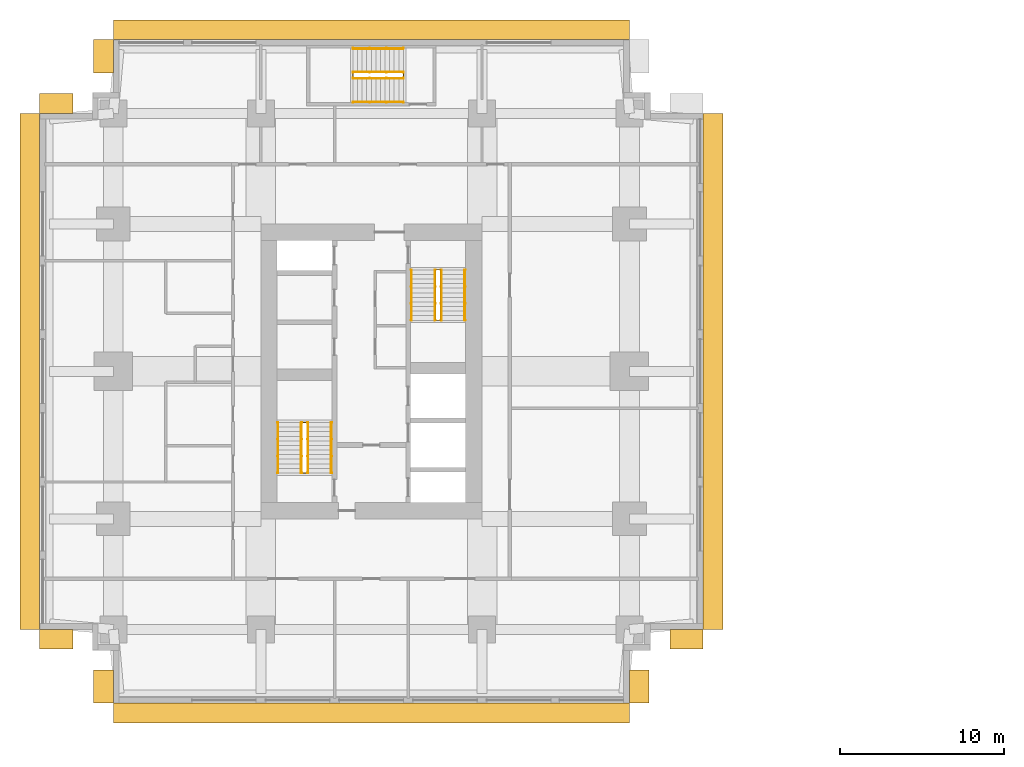
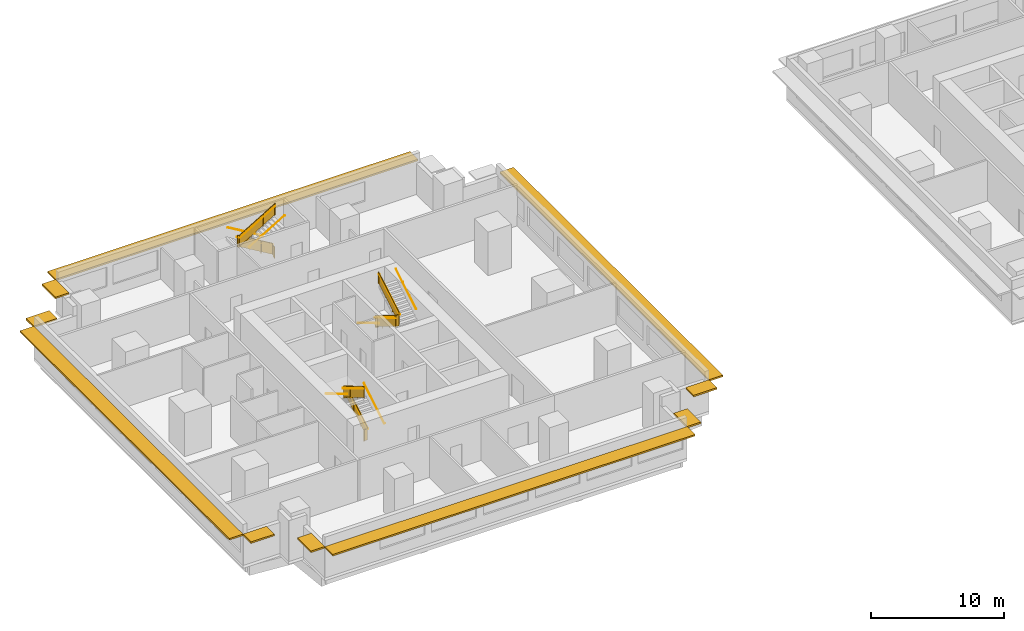
# One storey, part 10 of 11: 15 railings, 10 shading devices.
"""IFC4 building model written with IfcOpenShell, lengths in metres."""

from ifc_helpers import new_model, si_unit, direction, frame, origin, origin_2d, place, context, subcontext, project, spatial, polyline, rectangle, circle, outline, extrude, material, layer, layer_set, type_object, element, save


model = new_model("IFC4")

# Units and contexts
model_context = context("Model", 3, precision=1e-05, world=origin(), true_north=direction((0.0, 1.0)))
body_context = subcontext(model_context, "Body", "Model", "MODEL_VIEW")
ifc_project = project(units=[si_unit("LENGTHUNIT", "METRE"), si_unit("AREAUNIT", "SQUARE_METRE"), si_unit("VOLUMEUNIT", "CUBIC_METRE"), si_unit("PLANEANGLEUNIT", "RADIAN"), si_unit("MASSUNIT", "GRAM", prefix="KILO")], contexts=[model_context])

# Site, building, storey
site_placement = place(None, origin())
site = spatial("IfcSite", under=ifc_project, at=site_placement, CompositionType="ELEMENT")
building_placement = place(site_placement, origin())
building = spatial("IfcBuilding", under=site, at=building_placement, Name="Namib Vertical Campus", CompositionType="ELEMENT")
storey_placement = place(building_placement, frame((0.0, 0.0, 193.0)))
storey = spatial("IfcBuildingStorey", under=building, at=storey_placement, Name="L45", CompositionType="ELEMENT", Elevation=193.0)

# Railings
ifc_material_1 = material(Name="Steel handrail", Category="steel")
railing_type_1 = type_object("IfcRailingType", Name="Handrail 900", PredefinedType="HANDRAIL", material=ifc_material_1)
railing_1_placement = place(storey_placement, frame((17.800048828125, 14.050048828125, 0.166748046875)))
element("IfcRailing", 1, at=railing_1_placement, inside=storey, type_object=railing_type_1, Name="Handrail HR1 A-S1 L45 1", PredefinedType="HANDRAIL", context=body_context, shape_type="SweptSolid", body=[
    extrude(circle(Radius=0.02392578125, at=origin_2d()), frame((0.0, 0.0, 0.8759765625), z_axis=(0.0, 0.859290745958, 0.51148745235), x_axis=(-1.0, 0.0, 0.0)), (0.0, 0.0, 1.0), 3.584228515625),
    extrude(circle(Radius=0.008056640625, at=origin_2d()), frame((0.0, 0.0, 0.8759765625), z_axis=(1.0, 0.0, 0.0), x_axis=(0.0, 0.0, 1.0)), (0.0, 0.0, 1.0), 0.050048828125),
    extrude(circle(Radius=0.008056640625, at=origin_2d()), frame((0.0, 1.026611328125, 1.48681640625), z_axis=(1.0, 0.0, 0.0), x_axis=(0.0, 0.0, 1.0)), (0.0, 0.0, 1.0), 0.050048828125),
    extrude(circle(Radius=0.008056640625, at=origin_2d()), frame((0.0, 2.05322265625, 2.09814453125), z_axis=(1.0, 0.0, 0.0), x_axis=(0.0, 0.0, 1.0)), (0.0, 0.0, 1.0), 0.050048828125),
    extrude(circle(Radius=0.008056640625, at=origin_2d()), frame((0.0, 3.079833984375, 2.708984375), z_axis=(1.0, 0.0, 0.0), x_axis=(0.0, 0.0, 1.0)), (0.0, 0.0, 1.0), 0.050048828125),
])
railing_2_placement = place(storey_placement, frame((14.550048828125, 17.1298828125, 2.166748046875)))
element("IfcRailing", 2, at=railing_2_placement, inside=storey, type_object=railing_type_1, Name="Handrail HR1 A-S1 L45 2", PredefinedType="HANDRAIL", context=body_context, shape_type="SweptSolid", body=[
    extrude(circle(Radius=0.02392578125, at=origin_2d()), frame((0.0, 0.0, 0.8759765625), z_axis=(0.0, -0.859290745958, 0.51148745235), x_axis=(1.0, 0.0, 0.0)), (0.0, 0.0, 1.0), 3.584228515625),
    extrude(circle(Radius=0.008056640625, at=origin_2d()), frame((0.0, 0.0, 0.8759765625), z_axis=(-1.0, 0.0, 0.0), x_axis=(0.0, 0.0, 1.0)), (0.0, 0.0, 1.0), 0.050048828125),
    extrude(circle(Radius=0.008056640625, at=origin_2d()), frame((0.0, -1.026611328125, 1.48681640625), z_axis=(-1.0, 0.0, 0.0), x_axis=(0.0, 0.0, 1.0)), (0.0, 0.0, 1.0), 0.050048828125),
    extrude(circle(Radius=0.008056640625, at=origin_2d()), frame((0.0, -2.05322265625, 2.09814453125), z_axis=(-1.0, 0.0, 0.0), x_axis=(0.0, 0.0, 1.0)), (0.0, 0.0, 1.0), 0.050048828125),
    extrude(circle(Radius=0.008056640625, at=origin_2d()), frame((0.0, -3.079833984375, 2.708984375), z_axis=(-1.0, 0.0, 0.0), x_axis=(0.0, 0.0, 1.0)), (0.0, 0.0, 1.0), 0.050048828125),
])
railing_3_placement = place(storey_placement, frame((16.375, 14.050048828125, 0.166748046875)))
element("IfcRailing", 3, at=railing_3_placement, inside=storey, type_object=railing_type_1, Name="Handrail HR1 A-S1 L45 1 at the well", PredefinedType="HANDRAIL", context=body_context, shape_type="SweptSolid", body=[
    extrude(circle(Radius=0.02392578125, at=origin_2d()), frame((0.0, 0.0, 0.8759765625), z_axis=(0.0, 0.859290745958, 0.51148745235), x_axis=(-1.0, 0.0, 0.0)), (0.0, 0.0, 1.0), 3.584228515625),
    extrude(circle(Radius=0.008056640625, at=origin_2d()), frame((0.0, 0.0, 0.8759765625), z_axis=(-1.0, 0.0, 0.0), x_axis=(0.0, 0.0, 1.0)), (0.0, 0.0, 1.0), 0.0400390625),
    extrude(circle(Radius=0.008056640625, at=origin_2d()), frame((0.0, 1.026611328125, 1.48681640625), z_axis=(-1.0, 0.0, 0.0), x_axis=(0.0, 0.0, 1.0)), (0.0, 0.0, 1.0), 0.0400390625),
    extrude(circle(Radius=0.008056640625, at=origin_2d()), frame((0.0, 2.05322265625, 2.09814453125), z_axis=(-1.0, 0.0, 0.0), x_axis=(0.0, 0.0, 1.0)), (0.0, 0.0, 1.0), 0.0400390625),
    extrude(circle(Radius=0.008056640625, at=origin_2d()), frame((0.0, 3.079833984375, 2.708984375), z_axis=(-1.0, 0.0, 0.0), x_axis=(0.0, 0.0, 1.0)), (0.0, 0.0, 1.0), 0.0400390625),
])
railing_4_placement = place(storey_placement, frame((15.97509765625, 17.1298828125, 2.166748046875)))
element("IfcRailing", 4, at=railing_4_placement, inside=storey, type_object=railing_type_1, Name="Handrail HR1 A-S1 L45 2 at the well", PredefinedType="HANDRAIL", context=body_context, shape_type="SweptSolid", body=[
    extrude(circle(Radius=0.02392578125, at=origin_2d()), frame((0.0, 0.0, 0.8759765625), z_axis=(0.0, -0.859290745958, 0.51148745235), x_axis=(1.0, 0.0, 0.0)), (0.0, 0.0, 1.0), 3.584228515625),
    extrude(circle(Radius=0.008056640625, at=origin_2d()), frame((0.0, 0.0, 0.8759765625), z_axis=(1.0, 0.0, 0.0), x_axis=(0.0, 0.0, 1.0)), (0.0, 0.0, 1.0), 0.0400390625),
    extrude(circle(Radius=0.008056640625, at=origin_2d()), frame((0.0, -1.026611328125, 1.48681640625), z_axis=(1.0, 0.0, 0.0), x_axis=(0.0, 0.0, 1.0)), (0.0, 0.0, 1.0), 0.0400390625),
    extrude(circle(Radius=0.008056640625, at=origin_2d()), frame((0.0, -2.05322265625, 2.09814453125), z_axis=(1.0, 0.0, 0.0), x_axis=(0.0, 0.0, 1.0)), (0.0, 0.0, 1.0), 0.0400390625),
    extrude(circle(Radius=0.008056640625, at=origin_2d()), frame((0.0, -3.079833984375, 2.708984375), z_axis=(1.0, 0.0, 0.0), x_axis=(0.0, 0.0, 1.0)), (0.0, 0.0, 1.0), 0.0400390625),
])
railing_5_placement = place(storey_placement, frame((22.699951171875, 26.449951171875, 0.166748046875)))
element("IfcRailing", 5, at=railing_5_placement, inside=storey, type_object=railing_type_1, Name="Handrail HR1 A-S2 L45 1", PredefinedType="HANDRAIL", context=body_context, shape_type="SweptSolid", body=[
    extrude(circle(Radius=0.02392578125, at=origin_2d()), frame((0.0, 0.0, 0.8759765625), z_axis=(0.0, -0.859290745958, 0.51148745235), x_axis=(1.0, 0.0, 0.0)), (0.0, 0.0, 1.0), 3.584228515625),
    extrude(circle(Radius=0.008056640625, at=origin_2d()), frame((0.0, 0.0, 0.8759765625), z_axis=(-1.0, 0.0, 0.0), x_axis=(0.0, 0.0, 1.0)), (0.0, 0.0, 1.0), 0.050048828125),
    extrude(circle(Radius=0.008056640625, at=origin_2d()), frame((0.0, -1.026611328125, 1.48681640625), z_axis=(-1.0, 0.0, 0.0), x_axis=(0.0, 0.0, 1.0)), (0.0, 0.0, 1.0), 0.050048828125),
    extrude(circle(Radius=0.008056640625, at=origin_2d()), frame((0.0, -2.05322265625, 2.09814453125), z_axis=(-1.0, 0.0, 0.0), x_axis=(0.0, 0.0, 1.0)), (0.0, 0.0, 1.0), 0.050048828125),
    extrude(circle(Radius=0.008056640625, at=origin_2d()), frame((0.0, -3.079833984375, 2.708984375), z_axis=(-1.0, 0.0, 0.0), x_axis=(0.0, 0.0, 1.0)), (0.0, 0.0, 1.0), 0.050048828125),
])
railing_6_placement = place(storey_placement, frame((25.949951171875, 23.3701171875, 2.166748046875)))
element("IfcRailing", 6, at=railing_6_placement, inside=storey, type_object=railing_type_1, Name="Handrail HR1 A-S2 L45 2", PredefinedType="HANDRAIL", context=body_context, shape_type="SweptSolid", body=[
    extrude(circle(Radius=0.02392578125, at=origin_2d()), frame((0.0, 0.0, 0.8759765625), z_axis=(0.0, 0.859290745958, 0.51148745235), x_axis=(-1.0, 0.0, 0.0)), (0.0, 0.0, 1.0), 3.584228515625),
    extrude(circle(Radius=0.008056640625, at=origin_2d()), frame((0.0, 0.0, 0.8759765625), z_axis=(1.0, 0.0, 0.0), x_axis=(0.0, 0.0, 1.0)), (0.0, 0.0, 1.0), 0.050048828125),
    extrude(circle(Radius=0.008056640625, at=origin_2d()), frame((0.0, 1.026611328125, 1.48681640625), z_axis=(1.0, 0.0, 0.0), x_axis=(0.0, 0.0, 1.0)), (0.0, 0.0, 1.0), 0.050048828125),
    extrude(circle(Radius=0.008056640625, at=origin_2d()), frame((0.0, 2.05322265625, 2.09814453125), z_axis=(1.0, 0.0, 0.0), x_axis=(0.0, 0.0, 1.0)), (0.0, 0.0, 1.0), 0.050048828125),
    extrude(circle(Radius=0.008056640625, at=origin_2d()), frame((0.0, 3.079833984375, 2.708984375), z_axis=(1.0, 0.0, 0.0), x_axis=(0.0, 0.0, 1.0)), (0.0, 0.0, 1.0), 0.050048828125),
])
railing_7_placement = place(storey_placement, frame((24.125, 26.449951171875, 0.166748046875)))
element("IfcRailing", 7, at=railing_7_placement, inside=storey, type_object=railing_type_1, Name="Handrail HR1 A-S2 L45 1 at the well", PredefinedType="HANDRAIL", context=body_context, shape_type="SweptSolid", body=[
    extrude(circle(Radius=0.02392578125, at=origin_2d()), frame((0.0, 0.0, 0.8759765625), z_axis=(0.0, -0.859290745958, 0.51148745235), x_axis=(1.0, 0.0, 0.0)), (0.0, 0.0, 1.0), 3.584228515625),
    extrude(circle(Radius=0.008056640625, at=origin_2d()), frame((0.0, 0.0, 0.8759765625), z_axis=(1.0, 0.0, 0.0), x_axis=(0.0, 0.0, 1.0)), (0.0, 0.0, 1.0), 0.0400390625),
    extrude(circle(Radius=0.008056640625, at=origin_2d()), frame((0.0, -1.026611328125, 1.48681640625), z_axis=(1.0, 0.0, 0.0), x_axis=(0.0, 0.0, 1.0)), (0.0, 0.0, 1.0), 0.0400390625),
    extrude(circle(Radius=0.008056640625, at=origin_2d()), frame((0.0, -2.05322265625, 2.09814453125), z_axis=(1.0, 0.0, 0.0), x_axis=(0.0, 0.0, 1.0)), (0.0, 0.0, 1.0), 0.0400390625),
    extrude(circle(Radius=0.008056640625, at=origin_2d()), frame((0.0, -3.079833984375, 2.708984375), z_axis=(1.0, 0.0, 0.0), x_axis=(0.0, 0.0, 1.0)), (0.0, 0.0, 1.0), 0.0400390625),
])
railing_8_placement = place(storey_placement, frame((24.52490234375, 23.3701171875, 2.166748046875)))
element("IfcRailing", 8, at=railing_8_placement, inside=storey, type_object=railing_type_1, Name="Handrail HR1 A-S2 L45 2 at the well", PredefinedType="HANDRAIL", context=body_context, shape_type="SweptSolid", body=[
    extrude(circle(Radius=0.02392578125, at=origin_2d()), frame((0.0, 0.0, 0.8759765625), z_axis=(0.0, 0.859290745958, 0.51148745235), x_axis=(-1.0, 0.0, 0.0)), (0.0, 0.0, 1.0), 3.584228515625),
    extrude(circle(Radius=0.008056640625, at=origin_2d()), frame((0.0, 0.0, 0.8759765625), z_axis=(-1.0, 0.0, 0.0), x_axis=(0.0, 0.0, 1.0)), (0.0, 0.0, 1.0), 0.0400390625),
    extrude(circle(Radius=0.008056640625, at=origin_2d()), frame((0.0, 1.026611328125, 1.48681640625), z_axis=(-1.0, 0.0, 0.0), x_axis=(0.0, 0.0, 1.0)), (0.0, 0.0, 1.0), 0.0400390625),
    extrude(circle(Radius=0.008056640625, at=origin_2d()), frame((0.0, 2.05322265625, 2.09814453125), z_axis=(-1.0, 0.0, 0.0), x_axis=(0.0, 0.0, 1.0)), (0.0, 0.0, 1.0), 0.0400390625),
    extrude(circle(Radius=0.008056640625, at=origin_2d()), frame((0.0, 3.079833984375, 2.708984375), z_axis=(-1.0, 0.0, 0.0), x_axis=(0.0, 0.0, 1.0)), (0.0, 0.0, 1.0), 0.0400390625),
])
railing_9_placement = place(storey_placement, frame((22.199951171875, 39.949951171875, 0.166748046875)))
element("IfcRailing", 9, at=railing_9_placement, inside=storey, type_object=railing_type_1, Name="Handrail HR1 A-S3 L45 1", PredefinedType="HANDRAIL", context=body_context, shape_type="SweptSolid", body=[
    extrude(circle(Radius=0.02392578125, at=origin_2d()), frame((0.0, 0.0, 0.8759765625), z_axis=(-0.859290745958, 0.0, 0.51148745235), x_axis=(0.0, -1.0, 0.0)), (0.0, 0.0, 1.0), 3.584228515625),
    extrude(circle(Radius=0.008056640625, at=origin_2d()), frame((0.0, 0.0, 0.8759765625), z_axis=(0.0, 1.0, 0.0), x_axis=(0.0, 0.0, 1.0)), (0.0, 0.0, 1.0), 0.050048828125),
    extrude(circle(Radius=0.008056640625, at=origin_2d()), frame((-1.026611328125, 0.0, 1.48681640625), z_axis=(0.0, 1.0, 0.0), x_axis=(0.0, 0.0, 1.0)), (0.0, 0.0, 1.0), 0.050048828125),
    extrude(circle(Radius=0.008056640625, at=origin_2d()), frame((-2.05322265625, 0.0, 2.09814453125), z_axis=(0.0, 1.0, 0.0), x_axis=(0.0, 0.0, 1.0)), (0.0, 0.0, 1.0), 0.050048828125),
    extrude(circle(Radius=0.008056640625, at=origin_2d()), frame((-3.079833984375, 0.0, 2.708984375), z_axis=(0.0, 1.0, 0.0), x_axis=(0.0, 0.0, 1.0)), (0.0, 0.0, 1.0), 0.050048828125),
])
railing_10_placement = place(storey_placement, frame((19.1201171875, 36.699951171875, 2.166748046875)))
element("IfcRailing", 10, at=railing_10_placement, inside=storey, type_object=railing_type_1, Name="Handrail HR1 A-S3 L45 2", PredefinedType="HANDRAIL", context=body_context, shape_type="SweptSolid", body=[
    extrude(circle(Radius=0.02392578125, at=origin_2d()), frame((0.0, 0.0, 0.8759765625), z_axis=(0.859290745958, 0.0, 0.51148745235), x_axis=(0.0, 1.0, 0.0)), (0.0, 0.0, 1.0), 3.584228515625),
    extrude(circle(Radius=0.008056640625, at=origin_2d()), frame((0.0, 0.0, 0.8759765625), z_axis=(0.0, -1.0, 0.0), x_axis=(0.0, 0.0, 1.0)), (0.0, 0.0, 1.0), 0.050048828125),
    extrude(circle(Radius=0.008056640625, at=origin_2d()), frame((1.026611328125, 0.0, 1.48681640625), z_axis=(0.0, -1.0, 0.0), x_axis=(0.0, 0.0, 1.0)), (0.0, 0.0, 1.0), 0.050048828125),
    extrude(circle(Radius=0.008056640625, at=origin_2d()), frame((2.05322265625, 0.0, 2.09814453125), z_axis=(0.0, -1.0, 0.0), x_axis=(0.0, 0.0, 1.0)), (0.0, 0.0, 1.0), 0.050048828125),
    extrude(circle(Radius=0.008056640625, at=origin_2d()), frame((3.079833984375, 0.0, 2.708984375), z_axis=(0.0, -1.0, 0.0), x_axis=(0.0, 0.0, 1.0)), (0.0, 0.0, 1.0), 0.050048828125),
])
railing_11_placement = place(storey_placement, frame((22.199951171875, 38.52490234375, 0.166748046875)))
element("IfcRailing", 11, at=railing_11_placement, inside=storey, type_object=railing_type_1, Name="Handrail HR1 A-S3 L45 1 at the well", PredefinedType="HANDRAIL", context=body_context, shape_type="SweptSolid", body=[
    extrude(circle(Radius=0.02392578125, at=origin_2d()), frame((0.0, 0.0, 0.8759765625), z_axis=(-0.859290745958, 0.0, 0.51148745235), x_axis=(0.0, -1.0, 0.0)), (0.0, 0.0, 1.0), 3.584228515625),
    extrude(circle(Radius=0.008056640625, at=origin_2d()), frame((0.0, 0.0, 0.8759765625), z_axis=(0.0, -1.0, 0.0), x_axis=(0.0, 0.0, 1.0)), (0.0, 0.0, 1.0), 0.0400390625),
    extrude(circle(Radius=0.008056640625, at=origin_2d()), frame((-1.026611328125, 0.0, 1.48681640625), z_axis=(0.0, -1.0, 0.0), x_axis=(0.0, 0.0, 1.0)), (0.0, 0.0, 1.0), 0.0400390625),
    extrude(circle(Radius=0.008056640625, at=origin_2d()), frame((-2.05322265625, 0.0, 2.09814453125), z_axis=(0.0, -1.0, 0.0), x_axis=(0.0, 0.0, 1.0)), (0.0, 0.0, 1.0), 0.0400390625),
    extrude(circle(Radius=0.008056640625, at=origin_2d()), frame((-3.079833984375, 0.0, 2.708984375), z_axis=(0.0, -1.0, 0.0), x_axis=(0.0, 0.0, 1.0)), (0.0, 0.0, 1.0), 0.0400390625),
])
railing_12_placement = place(storey_placement, frame((19.1201171875, 38.125, 2.166748046875)))
element("IfcRailing", 12, at=railing_12_placement, inside=storey, type_object=railing_type_1, Name="Handrail HR1 A-S3 L45 2 at the well", PredefinedType="HANDRAIL", context=body_context, shape_type="SweptSolid", body=[
    extrude(circle(Radius=0.02392578125, at=origin_2d()), frame((0.0, 0.0, 0.8759765625), z_axis=(0.859290745958, 0.0, 0.51148745235), x_axis=(0.0, 1.0, 0.0)), (0.0, 0.0, 1.0), 3.584228515625),
    extrude(circle(Radius=0.008056640625, at=origin_2d()), frame((0.0, 0.0, 0.8759765625), z_axis=(0.0, 1.0, 0.0), x_axis=(0.0, 0.0, 1.0)), (0.0, 0.0, 1.0), 0.0400390625),
    extrude(circle(Radius=0.008056640625, at=origin_2d()), frame((1.026611328125, 0.0, 1.48681640625), z_axis=(0.0, 1.0, 0.0), x_axis=(0.0, 0.0, 1.0)), (0.0, 0.0, 1.0), 0.0400390625),
    extrude(circle(Radius=0.008056640625, at=origin_2d()), frame((2.05322265625, 0.0, 2.09814453125), z_axis=(0.0, 1.0, 0.0), x_axis=(0.0, 0.0, 1.0)), (0.0, 0.0, 1.0), 0.0400390625),
    extrude(circle(Radius=0.008056640625, at=origin_2d()), frame((3.079833984375, 0.0, 2.708984375), z_axis=(0.0, 1.0, 0.0), x_axis=(0.0, 0.0, 1.0)), (0.0, 0.0, 1.0), 0.0400390625),
])
ifc_material_2 = material(Name="Steel balustrade", Category="steel")
railing_type_2 = type_object("IfcRailingType", Name="Stair guard 1100", PredefinedType="GUARDRAIL", material=ifc_material_2)
railing_13_placement = place(storey_placement, frame((16.02490234375, 14.050048828125, 0.0)))
element("IfcRailing", 13, at=railing_13_placement, inside=storey, type_object=railing_type_2, Name="Stair guard GR1 A-S1 L45", PredefinedType="GUARDRAIL", context=body_context, shape_type="SweptSolid", body=[
    extrude(circle(Radius=0.02392578125, at=origin_2d()), frame((0.0, 0.0, 1.076171875), z_axis=(1.0, 0.0, 0.0), x_axis=(0.0, 1.0, 0.0)), (0.0, 0.0, 1.0), 0.300048828125),
    extrude(outline(polyline([(0.02099609375, 0.050048828125), (0.279052734375, 0.050048828125), (0.279052734375, 1.052001953125), (0.02099609375, 1.052001953125), (0.02099609375, 0.050048828125)])), frame((0.0, 0.010009765625, 0.0), z_axis=(0.0, -1.0, 0.0), x_axis=(1.0, 0.0, 0.0)), (0.0, 0.0, 1.0), 0.02001953125),
    extrude(circle(Radius=0.02392578125, at=origin_2d()), frame((0.300048828125, 0.0, 1.076171875), z_axis=(0.0, 0.0, 1.0), x_axis=(1.0, 0.0, 0.0)), (0.0, 0.0, 1.0), 0.166748046875),
    extrude(circle(Radius=0.02392578125, at=origin_2d()), frame((0.300048828125, 0.0, 1.24267578125), z_axis=(0.0, 0.859290745958, 0.51148745235), x_axis=(-1.0, 0.0, 0.0)), (0.0, 0.0, 1.0), 3.584228515625),
    extrude(outline(polyline([(0.02099609375, 0.0625), (3.058837890625, 1.870849609375), (3.058837890625, 2.872802734375), (0.02099609375, 1.064453125), (0.02099609375, 0.0625)])), frame((0.2900390625, 0.0, 0.166748046875), z_axis=(1.0, 0.0, 0.0), x_axis=(0.0, 1.0, 0.0)), (0.0, 0.0, 1.0), 0.02001953125),
    extrude(circle(Radius=0.02392578125, at=origin_2d()), frame((0.300048828125, 3.079833984375, 3.076171875), z_axis=(-1.0, 0.0, 0.0), x_axis=(0.0, -1.0, 0.0)), (0.0, 0.0, 1.0), 0.300048828125),
    extrude(outline(polyline([(0.02099609375, 0.050048828125), (0.279052734375, 0.050048828125), (0.279052734375, 1.052001953125), (0.02099609375, 1.052001953125), (0.02099609375, 0.050048828125)])), frame((0.300048828125, 3.06982421875, 2.0), z_axis=(0.0, 1.0, 0.0), x_axis=(-1.0, 0.0, 0.0)), (0.0, 0.0, 1.0), 0.02001953125),
    extrude(circle(Radius=0.02392578125, at=origin_2d()), frame((0.0, 3.079833984375, 3.076171875), z_axis=(0.0, 0.0, 1.0), x_axis=(1.0, 0.0, 0.0)), (0.0, 0.0, 1.0), 0.166748046875),
    extrude(circle(Radius=0.02392578125, at=origin_2d()), frame((0.0, 3.079833984375, 3.24267578125), z_axis=(0.0, -0.859290745958, 0.51148745235), x_axis=(1.0, 0.0, 0.0)), (0.0, 0.0, 1.0), 3.584228515625),
    extrude(outline(polyline([(0.02099609375, 0.0625), (3.058837890625, 1.870849609375), (3.058837890625, 2.872802734375), (0.02099609375, 1.064453125), (0.02099609375, 0.0625)])), frame((0.010009765625, 3.079833984375, 2.166748046875), z_axis=(-1.0, 0.0, 0.0), x_axis=(0.0, -1.0, 0.0)), (0.0, 0.0, 1.0), 0.02001953125),
    extrude(circle(Radius=0.02392578125, at=origin_2d()), frame((0.0, 0.0, 5.076171875), z_axis=(0.0, -1.0, 0.0), x_axis=(1.0, 0.0, 0.0)), (0.0, 0.0, 1.0), 0.050048828125),
    extrude(outline(polyline([(0.02099609375, 0.050048828125), (0.029052734375, 0.050048828125), (0.029052734375, 1.052001953125), (0.02099609375, 1.052001953125), (0.02099609375, 0.050048828125)])), frame((0.010009765625, 0.0, 4.0), z_axis=(-1.0, 0.0, 0.0), x_axis=(0.0, -1.0, 0.0)), (0.0, 0.0, 1.0), 0.02001953125),
    extrude(circle(Radius=0.02099609375, at=origin_2d()), origin(), (0.0, 0.0, 1.0), 1.052001953125),
    extrude(circle(Radius=0.02099609375, at=origin_2d()), frame((0.300048828125, 0.0, 0.166748046875)), (0.0, 0.0, 1.0), 1.052001953125),
    extrude(circle(Radius=0.02099609375, at=origin_2d()), frame((0.300048828125, 1.026611328125, 0.666748046875)), (0.0, 0.0, 1.0), 1.1630859375),
    extrude(circle(Radius=0.02099609375, at=origin_2d()), frame((0.300048828125, 2.05322265625, 1.33349609375)), (0.0, 0.0, 1.0), 1.107421875),
    extrude(circle(Radius=0.02099609375, at=origin_2d()), frame((0.300048828125, 3.079833984375, 2.0)), (0.0, 0.0, 1.0), 1.052001953125),
    extrude(circle(Radius=0.02099609375, at=origin_2d()), frame((0.0, 3.079833984375, 2.166748046875)), (0.0, 0.0, 1.0), 1.052001953125),
    extrude(circle(Radius=0.02099609375, at=origin_2d()), frame((0.0, 2.05322265625, 2.666748046875)), (0.0, 0.0, 1.0), 1.1630859375),
    extrude(circle(Radius=0.02099609375, at=origin_2d()), frame((0.0, 1.026611328125, 3.33349609375)), (0.0, 0.0, 1.0), 1.107421875),
    extrude(circle(Radius=0.02099609375, at=origin_2d()), frame((0.0, 0.0, 4.0)), (0.0, 0.0, 1.0), 1.052001953125),
    extrude(circle(Radius=0.02099609375, at=origin_2d()), frame((0.0, -0.050048828125, 4.0)), (0.0, 0.0, 1.0), 1.052001953125),
])
railing_14_placement = place(storey_placement, frame((24.47509765625, 26.449951171875, 0.0)))
element("IfcRailing", 14, at=railing_14_placement, inside=storey, type_object=railing_type_2, Name="Stair guard GR1 A-S2 L45", PredefinedType="GUARDRAIL", context=body_context, shape_type="SweptSolid", body=[
    extrude(circle(Radius=0.02392578125, at=origin_2d()), frame((0.0, 0.0, 1.076171875), z_axis=(-1.0, 0.0, 0.0), x_axis=(0.0, -1.0, 0.0)), (0.0, 0.0, 1.0), 0.300048828125),
    extrude(outline(polyline([(0.02099609375, 0.050048828125), (0.279052734375, 0.050048828125), (0.279052734375, 1.052001953125), (0.02099609375, 1.052001953125), (0.02099609375, 0.050048828125)])), frame((0.0, -0.010009765625, 0.0), z_axis=(0.0, 1.0, 0.0), x_axis=(-1.0, 0.0, 0.0)), (0.0, 0.0, 1.0), 0.02001953125),
    extrude(circle(Radius=0.02392578125, at=origin_2d()), frame((-0.300048828125, 0.0, 1.076171875), z_axis=(0.0, 0.0, 1.0), x_axis=(1.0, 0.0, 0.0)), (0.0, 0.0, 1.0), 0.166748046875),
    extrude(circle(Radius=0.02392578125, at=origin_2d()), frame((-0.300048828125, 0.0, 1.24267578125), z_axis=(0.0, -0.859290745958, 0.51148745235), x_axis=(1.0, 0.0, 0.0)), (0.0, 0.0, 1.0), 3.584228515625),
    extrude(outline(polyline([(0.02099609375, 0.0625), (3.058837890625, 1.870849609375), (3.058837890625, 2.872802734375), (0.02099609375, 1.064453125), (0.02099609375, 0.0625)])), frame((-0.2900390625, 0.0, 0.166748046875), z_axis=(-1.0, 0.0, 0.0), x_axis=(0.0, -1.0, 0.0)), (0.0, 0.0, 1.0), 0.02001953125),
    extrude(circle(Radius=0.02392578125, at=origin_2d()), frame((-0.300048828125, -3.079833984375, 3.076171875), z_axis=(1.0, 0.0, 0.0), x_axis=(0.0, 1.0, 0.0)), (0.0, 0.0, 1.0), 0.300048828125),
    extrude(outline(polyline([(0.02099609375, 0.050048828125), (0.279052734375, 0.050048828125), (0.279052734375, 1.052001953125), (0.02099609375, 1.052001953125), (0.02099609375, 0.050048828125)])), frame((-0.300048828125, -3.06982421875, 2.0), z_axis=(0.0, -1.0, 0.0), x_axis=(1.0, 0.0, 0.0)), (0.0, 0.0, 1.0), 0.02001953125),
    extrude(circle(Radius=0.02392578125, at=origin_2d()), frame((0.0, -3.079833984375, 3.076171875), z_axis=(0.0, 0.0, 1.0), x_axis=(1.0, 0.0, 0.0)), (0.0, 0.0, 1.0), 0.166748046875),
    extrude(circle(Radius=0.02392578125, at=origin_2d()), frame((0.0, -3.079833984375, 3.24267578125), z_axis=(0.0, 0.859290745958, 0.51148745235), x_axis=(-1.0, 0.0, 0.0)), (0.0, 0.0, 1.0), 3.584228515625),
    extrude(outline(polyline([(0.02099609375, 0.0625), (3.058837890625, 1.870849609375), (3.058837890625, 2.872802734375), (0.02099609375, 1.064453125), (0.02099609375, 0.0625)])), frame((-0.010009765625, -3.079833984375, 2.166748046875), z_axis=(1.0, 0.0, 0.0), x_axis=(0.0, 1.0, 0.0)), (0.0, 0.0, 1.0), 0.02001953125),
    extrude(circle(Radius=0.02392578125, at=origin_2d()), frame((0.0, 0.0, 5.076171875), z_axis=(0.0, 1.0, 0.0), x_axis=(-1.0, 0.0, 0.0)), (0.0, 0.0, 1.0), 0.050048828125),
    extrude(outline(polyline([(0.02099609375, 0.050048828125), (0.029052734375, 0.050048828125), (0.029052734375, 1.052001953125), (0.02099609375, 1.052001953125), (0.02099609375, 0.050048828125)])), frame((-0.010009765625, 0.0, 4.0), z_axis=(1.0, 0.0, 0.0), x_axis=(0.0, 1.0, 0.0)), (0.0, 0.0, 1.0), 0.02001953125),
    extrude(circle(Radius=0.02099609375, at=origin_2d()), origin(), (0.0, 0.0, 1.0), 1.052001953125),
    extrude(circle(Radius=0.02099609375, at=origin_2d()), frame((-0.300048828125, 0.0, 0.166748046875)), (0.0, 0.0, 1.0), 1.052001953125),
    extrude(circle(Radius=0.02099609375, at=origin_2d()), frame((-0.300048828125, -1.026611328125, 0.666748046875)), (0.0, 0.0, 1.0), 1.1630859375),
    extrude(circle(Radius=0.02099609375, at=origin_2d()), frame((-0.300048828125, -2.05322265625, 1.33349609375)), (0.0, 0.0, 1.0), 1.107421875),
    extrude(circle(Radius=0.02099609375, at=origin_2d()), frame((-0.300048828125, -3.079833984375, 2.0)), (0.0, 0.0, 1.0), 1.052001953125),
    extrude(circle(Radius=0.02099609375, at=origin_2d()), frame((0.0, -3.079833984375, 2.166748046875)), (0.0, 0.0, 1.0), 1.052001953125),
    extrude(circle(Radius=0.02099609375, at=origin_2d()), frame((0.0, -2.05322265625, 2.666748046875)), (0.0, 0.0, 1.0), 1.1630859375),
    extrude(circle(Radius=0.02099609375, at=origin_2d()), frame((0.0, -1.026611328125, 3.33349609375)), (0.0, 0.0, 1.0), 1.107421875),
    extrude(circle(Radius=0.02099609375, at=origin_2d()), frame((0.0, 0.0, 4.0)), (0.0, 0.0, 1.0), 1.052001953125),
    extrude(circle(Radius=0.02099609375, at=origin_2d()), frame((0.0, 0.050048828125, 4.0)), (0.0, 0.0, 1.0), 1.052001953125),
])
railing_15_placement = place(storey_placement, frame((22.199951171875, 38.175048828125, 0.0)))
element("IfcRailing", 15, at=railing_15_placement, inside=storey, type_object=railing_type_2, Name="Stair guard GR1 A-S3 L45", PredefinedType="GUARDRAIL", context=body_context, shape_type="SweptSolid", body=[
    extrude(circle(Radius=0.02392578125, at=origin_2d()), frame((0.0, 0.0, 1.076171875), z_axis=(0.0, 1.0, 0.0), x_axis=(-1.0, 0.0, 0.0)), (0.0, 0.0, 1.0), 0.300048828125),
    extrude(outline(polyline([(0.02099609375, 0.050048828125), (0.279052734375, 0.050048828125), (0.279052734375, 1.052001953125), (0.02099609375, 1.052001953125), (0.02099609375, 0.050048828125)])), frame((-0.010009765625, 0.0, 0.0), z_axis=(1.0, 0.0, 0.0), x_axis=(0.0, 1.0, 0.0)), (0.0, 0.0, 1.0), 0.02001953125),
    extrude(circle(Radius=0.02392578125, at=origin_2d()), frame((0.0, 0.300048828125, 1.076171875), z_axis=(0.0, 0.0, 1.0), x_axis=(1.0, 0.0, 0.0)), (0.0, 0.0, 1.0), 0.166748046875),
    extrude(circle(Radius=0.02392578125, at=origin_2d()), frame((0.0, 0.300048828125, 1.24267578125), z_axis=(-0.859290745958, 0.0, 0.51148745235), x_axis=(0.0, -1.0, 0.0)), (0.0, 0.0, 1.0), 3.584228515625),
    extrude(outline(polyline([(0.02099609375, 0.0625), (3.058837890625, 1.870849609375), (3.058837890625, 2.872802734375), (0.02099609375, 1.064453125), (0.02099609375, 0.0625)])), frame((0.0, 0.2900390625, 0.166748046875), z_axis=(0.0, 1.0, 0.0), x_axis=(-1.0, 0.0, 0.0)), (0.0, 0.0, 1.0), 0.02001953125),
    extrude(circle(Radius=0.02392578125, at=origin_2d()), frame((-3.079833984375, 0.300048828125, 3.076171875), z_axis=(0.0, -1.0, 0.0), x_axis=(1.0, 0.0, 0.0)), (0.0, 0.0, 1.0), 0.300048828125),
    extrude(outline(polyline([(0.02099609375, 0.050048828125), (0.279052734375, 0.050048828125), (0.279052734375, 1.052001953125), (0.02099609375, 1.052001953125), (0.02099609375, 0.050048828125)])), frame((-3.06982421875, 0.300048828125, 2.0), z_axis=(-1.0, 0.0, 0.0), x_axis=(0.0, -1.0, 0.0)), (0.0, 0.0, 1.0), 0.02001953125),
    extrude(circle(Radius=0.02392578125, at=origin_2d()), frame((-3.079833984375, 0.0, 3.076171875), z_axis=(0.0, 0.0, 1.0), x_axis=(1.0, 0.0, 0.0)), (0.0, 0.0, 1.0), 0.166748046875),
    extrude(circle(Radius=0.02392578125, at=origin_2d()), frame((-3.079833984375, 0.0, 3.24267578125), z_axis=(0.859290745958, 0.0, 0.51148745235), x_axis=(0.0, 1.0, 0.0)), (0.0, 0.0, 1.0), 3.584228515625),
    extrude(outline(polyline([(0.02099609375, 0.0625), (3.058837890625, 1.870849609375), (3.058837890625, 2.872802734375), (0.02099609375, 1.064453125), (0.02099609375, 0.0625)])), frame((-3.079833984375, 0.010009765625, 2.166748046875), z_axis=(0.0, -1.0, 0.0), x_axis=(1.0, 0.0, 0.0)), (0.0, 0.0, 1.0), 0.02001953125),
    extrude(circle(Radius=0.02392578125, at=origin_2d()), frame((0.0, 0.0, 5.076171875), z_axis=(1.0, 0.0, 0.0), x_axis=(0.0, 1.0, 0.0)), (0.0, 0.0, 1.0), 0.050048828125),
    extrude(outline(polyline([(0.02099609375, 0.050048828125), (0.029052734375, 0.050048828125), (0.029052734375, 1.052001953125), (0.02099609375, 1.052001953125), (0.02099609375, 0.050048828125)])), frame((0.0, 0.010009765625, 4.0), z_axis=(0.0, -1.0, 0.0), x_axis=(1.0, 0.0, 0.0)), (0.0, 0.0, 1.0), 0.02001953125),
    extrude(circle(Radius=0.02099609375, at=origin_2d()), origin(), (0.0, 0.0, 1.0), 1.052001953125),
    extrude(circle(Radius=0.02099609375, at=origin_2d()), frame((0.0, 0.300048828125, 0.166748046875)), (0.0, 0.0, 1.0), 1.052001953125),
    extrude(circle(Radius=0.02099609375, at=origin_2d()), frame((-1.026611328125, 0.300048828125, 0.666748046875)), (0.0, 0.0, 1.0), 1.1630859375),
    extrude(circle(Radius=0.02099609375, at=origin_2d()), frame((-2.05322265625, 0.300048828125, 1.33349609375)), (0.0, 0.0, 1.0), 1.107421875),
    extrude(circle(Radius=0.02099609375, at=origin_2d()), frame((-3.079833984375, 0.300048828125, 2.0)), (0.0, 0.0, 1.0), 1.052001953125),
    extrude(circle(Radius=0.02099609375, at=origin_2d()), frame((-3.079833984375, 0.0, 2.166748046875)), (0.0, 0.0, 1.0), 1.052001953125),
    extrude(circle(Radius=0.02099609375, at=origin_2d()), frame((-2.05322265625, 0.0, 2.666748046875)), (0.0, 0.0, 1.0), 1.1630859375),
    extrude(circle(Radius=0.02099609375, at=origin_2d()), frame((-1.026611328125, 0.0, 3.33349609375)), (0.0, 0.0, 1.0), 1.107421875),
    extrude(circle(Radius=0.02099609375, at=origin_2d()), frame((0.0, 0.0, 4.0)), (0.0, 0.0, 1.0), 1.052001953125),
    extrude(circle(Radius=0.02099609375, at=origin_2d()), frame((0.050048828125, 0.0, 4.0)), (0.0, 0.0, 1.0), 1.052001953125),
])

# Shading devices
ifc_material_3 = material(Name="Concrete C40/50 precast", Category="concrete")
ifc_layer = layer(ifc_material_3, 0.14990234375)
ifc_layer_set = layer_set([ifc_layer], Name="Concrete C40/50 precast")
shading_device_type = type_object("IfcShadingDeviceType", Name="Sunshade hood 1200", PredefinedType="SHUTTER", material=ifc_layer_set)
shading_device_1_placement = place(storey_placement, frame((20.25, -0.60009765625, 2.75), z_axis=(0.0, 0.0, 1.0), x_axis=(1.0, 0.0, 0.0)))
element("IfcShadingDevice", 16, at=shading_device_1_placement, inside=storey, type_object=shading_device_type, Name="Sunshade SH2 L45 1", PredefinedType="SHUTTER", context=body_context, shape_type="SweptSolid", body=[
    extrude(rectangle(XDim=31.5, YDim=1.199951171875, at=origin_2d()), origin(), (0.0, 0.0, 1.0), 0.14990234375),
])
for number, where, z_axis, x_axis, name in (
    (17, (36.60009765625, 1.012451171875, 2.75), (0.0, 0.0, 1.0), (0.0, 1.0, 0.0), "Sunshade SH2 L45 2"),
    (18, (39.487548828125, 3.89990234375, 2.75), (0.0, 0.0, 1.0), (1.0, 0.0, 0.0), "Sunshade SH2 L45 5"),
):
    element("IfcShadingDevice", number, at=place(storey_placement, frame(where, z_axis=z_axis, x_axis=x_axis)), inside=storey, type_object=shading_device_type, Name=name, PredefinedType="SHUTTER", context=body_context, shape_type="SweptSolid", body=[
        extrude(rectangle(XDim=2.02490234375, YDim=1.199951171875, at=origin_2d()), origin(), (0.0, 0.0, 1.0), 0.14990234375),
    ])
for number, where, z_axis, x_axis, name in (
    (19, (41.10009765625, 20.25, 2.75), (0.0, 0.0, 1.0), (0.0, 1.0, 0.0), "Sunshade SH2 L45 6"),
    (20, (20.25, 41.10009765625, 2.75), (0.0, 0.0, 1.0), (-1.0, 0.0, 0.0), "Sunshade SH2 L45 11"),
):
    element("IfcShadingDevice", number, at=place(storey_placement, frame(where, z_axis=z_axis, x_axis=x_axis)), inside=storey, type_object=shading_device_type, Name=name, PredefinedType="SHUTTER", context=body_context, shape_type="SweptSolid", body=[
        extrude(rectangle(XDim=31.5, YDim=1.199951171875, at=origin_2d()), origin(), (0.0, 0.0, 1.0), 0.14990234375),
    ])
for number, where, z_axis, x_axis, name in (
    (21, (3.89990234375, 39.487548828125, 2.75), (0.0, 0.0, 1.0), (0.0, -1.0, 0.0), "Sunshade SH2 L45 12"),
    (22, (1.012451171875, 36.60009765625, 2.75), (0.0, 0.0, 1.0), (-1.0, 0.0, 0.0), "Sunshade SH2 L45 15"),
):
    element("IfcShadingDevice", number, at=place(storey_placement, frame(where, z_axis=z_axis, x_axis=x_axis)), inside=storey, type_object=shading_device_type, Name=name, PredefinedType="SHUTTER", context=body_context, shape_type="SweptSolid", body=[
        extrude(rectangle(XDim=2.02490234375, YDim=1.199951171875, at=origin_2d()), origin(), (0.0, 0.0, 1.0), 0.14990234375),
    ])
shading_device_2_placement = place(storey_placement, frame((-0.60009765625, 20.25, 2.75), z_axis=(0.0, 0.0, 1.0), x_axis=(0.0, -1.0, 0.0)))
element("IfcShadingDevice", 23, at=shading_device_2_placement, inside=storey, type_object=shading_device_type, Name="Sunshade SH2 L45 16", PredefinedType="SHUTTER", context=body_context, shape_type="SweptSolid", body=[
    extrude(rectangle(XDim=31.5, YDim=1.199951171875, at=origin_2d()), origin(), (0.0, 0.0, 1.0), 0.14990234375),
])
for number, where, z_axis, x_axis, name in (
    (24, (1.012451171875, 3.89990234375, 2.75), (0.0, 0.0, 1.0), (1.0, 0.0, 0.0), "Sunshade SH2 L45 17"),
    (25, (3.89990234375, 1.012451171875, 2.75), (0.0, 0.0, 1.0), (0.0, -1.0, 0.0), "Sunshade SH2 L45 20"),
):
    element("IfcShadingDevice", number, at=place(storey_placement, frame(where, z_axis=z_axis, x_axis=x_axis)), inside=storey, type_object=shading_device_type, Name=name, PredefinedType="SHUTTER", context=body_context, shape_type="SweptSolid", body=[
        extrude(rectangle(XDim=2.02490234375, YDim=1.199951171875, at=origin_2d()), origin(), (0.0, 0.0, 1.0), 0.14990234375),
    ])

save(model, "model.ifc")
